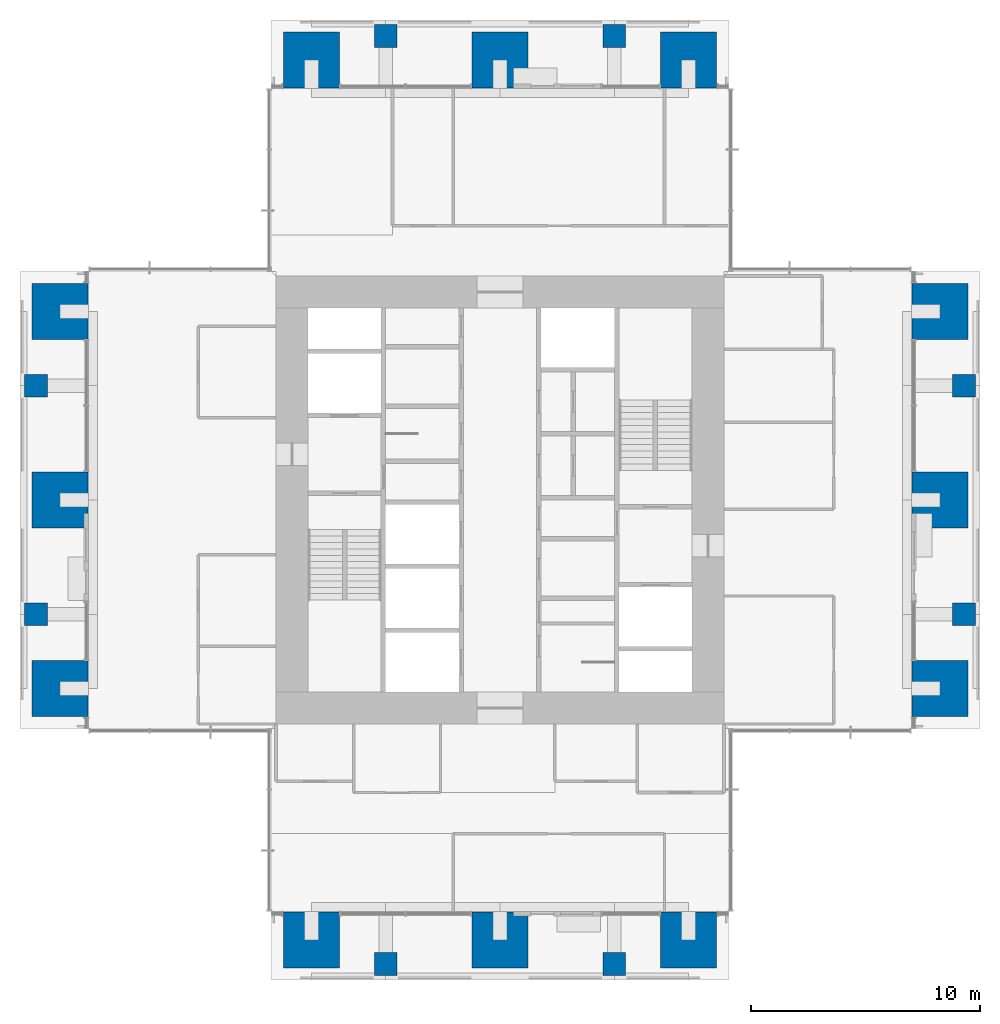
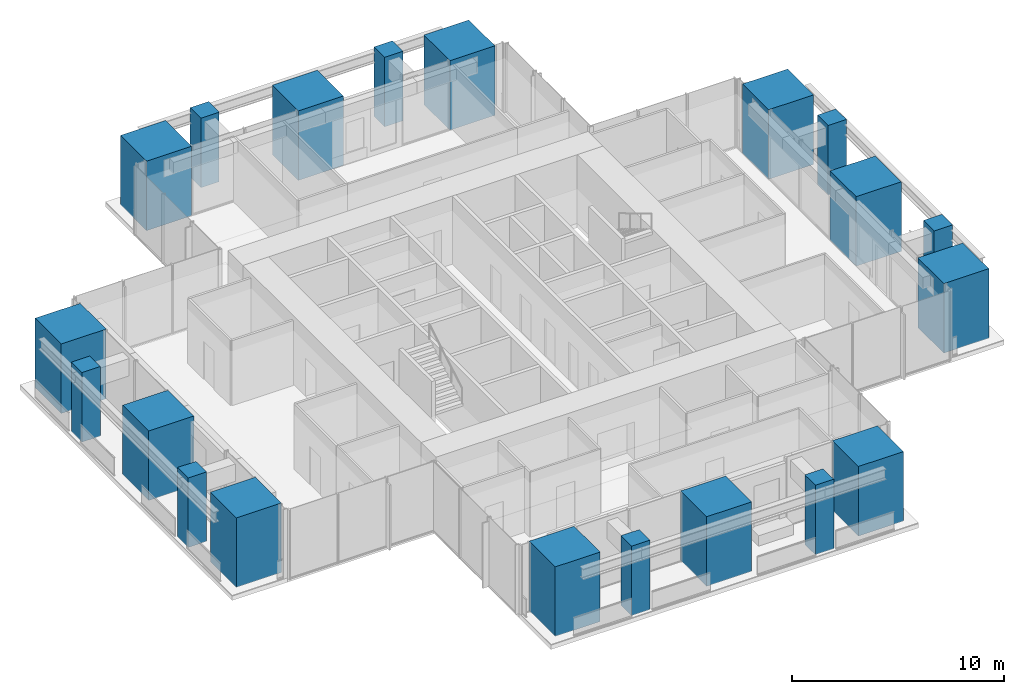
# One storey, part 1 of 17: 20 columns.
"""IFC4 building model written with IfcOpenShell, lengths in metres."""

from ifc_helpers import new_model, si_unit, direction, frame, origin, origin_2d, place, context, subcontext, project, spatial, rectangle, extrude, material, material_profile, profile_set, type_object, element, save


model = new_model("IFC4")

# Units and contexts
model_context = context("Model", 3, precision=1e-05, world=origin(), true_north=direction((0.0, 1.0)))
body_context = subcontext(model_context, "Body", "Model", "MODEL_VIEW")
ifc_project = project(units=[si_unit("LENGTHUNIT", "METRE"), si_unit("AREAUNIT", "SQUARE_METRE"), si_unit("VOLUMEUNIT", "CUBIC_METRE"), si_unit("PLANEANGLEUNIT", "RADIAN"), si_unit("MASSUNIT", "GRAM", prefix="KILO")], contexts=[model_context])

# Site, building, storey
site_placement = place(None, origin())
site = spatial("IfcSite", under=ifc_project, at=site_placement, CompositionType="ELEMENT")
building_placement = place(site_placement, origin())
building = spatial("IfcBuilding", under=site, at=building_placement, Name="Svetlomir Tower", CompositionType="ELEMENT")
storey_placement = place(building_placement, frame((0.0, 0.0, 194.5)))
storey = spatial("IfcBuildingStorey", under=building, at=storey_placement, Name="L46", CompositionType="ELEMENT", Elevation=194.5)

# Columns
ifc_material_1 = material(Name="Concrete C60/75", Category="concrete")
ifc_material_profile_1 = material_profile(ifc_material_1, rectangle(XDim=1.0, YDim=1.0, at=origin_2d()), Name="RC 1000x1000")
ifc_profile_set_1 = profile_set([ifc_material_profile_1], Name="Concrete C60/75")
column_type_1 = type_object("IfcColumnType", Name="COLUMN RC 1000x1000", PredefinedType="COLUMN", material=ifc_profile_set_1)
for number, where, z_axis, x_axis, name in (
    (1, (16.0, 0.699951171875, 0.0), (0.0, 0.0, 1.0), (1.0, 0.0, 0.0), "Column 16/0 L46"),
    (2, (26.0, 0.699951171875, 0.0), (0.0, 0.0, 1.0), (1.0, 0.0, 0.0), "Column 26/0 L46"),
    (3, (0.699951171875, 16.0, 0.0), (0.0, 0.0, 1.0), (1.0, 0.0, 0.0), "Column 0/16 L46"),
    (4, (41.300048828125, 16.0, 0.0), (0.0, 0.0, 1.0), (1.0, 0.0, 0.0), "Column 42/16 L46"),
    (5, (0.699951171875, 26.0, 0.0), (0.0, 0.0, 1.0), (1.0, 0.0, 0.0), "Column 0/26 L46"),
    (6, (41.300048828125, 26.0, 0.0), (0.0, 0.0, 1.0), (1.0, 0.0, 0.0), "Column 42/26 L46"),
    (7, (16.0, 41.300048828125, 0.0), (0.0, 0.0, 1.0), (1.0, 0.0, 0.0), "Column 16/42 L46"),
    (8, (26.0, 41.300048828125, 0.0), (0.0, 0.0, 1.0), (1.0, 0.0, 0.0), "Column 26/42 L46"),
):
    element("IfcColumn", number, at=place(storey_placement, frame(where, z_axis=z_axis, x_axis=x_axis)), inside=storey, type_object=column_type_1, Name=name, PredefinedType="COLUMN", context=body_context, shape_type="SweptSolid", body=[
        extrude(rectangle(XDim=1.0, YDim=1.0, at=origin_2d()), origin(), (0.0, 0.0, 1.0), 4.0),
    ])
ifc_material_2 = material(Name="Concrete C60/75", Category="concrete")
ifc_material_profile_2 = material_profile(ifc_material_2, rectangle(XDim=2.449951171875, YDim=2.449951171875, at=origin_2d()), Name="RC 2450x2450")
ifc_profile_set_2 = profile_set([ifc_material_profile_2], Name="Concrete C60/75")
column_type_2 = type_object("IfcColumnType", Name="COLUMN RC 2450x2450", PredefinedType="COLUMN", material=ifc_profile_set_2)
for number, where, z_axis, x_axis, name in (
    (9, (12.75, 1.75, 0.0), (0.0, 0.0, 1.0), (1.0, 0.0, 0.0), "Column 11/0 L46"),
    (10, (21.0, 1.75, 0.0), (0.0, 0.0, 1.0), (1.0, 0.0, 0.0), "Column 21/0 L46"),
    (11, (29.25, 1.75, 0.0), (0.0, 0.0, 1.0), (1.0, 0.0, 0.0), "Column 31/0 L46"),
    (12, (1.75, 12.75, 0.0), (0.0, 0.0, 1.0), (1.0, 0.0, 0.0), "Column 0/11 L46"),
    (13, (40.25, 12.75, 0.0), (0.0, 0.0, 1.0), (1.0, 0.0, 0.0), "Column 42/11 L46"),
    (14, (1.75, 21.0, 0.0), (0.0, 0.0, 1.0), (1.0, 0.0, 0.0), "Column 0/21 L46"),
    (15, (40.25, 21.0, 0.0), (0.0, 0.0, 1.0), (1.0, 0.0, 0.0), "Column 42/21 L46"),
    (16, (1.75, 29.25, 0.0), (0.0, 0.0, 1.0), (1.0, 0.0, 0.0), "Column 0/31 L46"),
    (17, (40.25, 29.25, 0.0), (0.0, 0.0, 1.0), (1.0, 0.0, 0.0), "Column 42/31 L46"),
    (18, (12.75, 40.25, 0.0), (0.0, 0.0, 1.0), (1.0, 0.0, 0.0), "Column 11/42 L46"),
    (19, (21.0, 40.25, 0.0), (0.0, 0.0, 1.0), (1.0, 0.0, 0.0), "Column 21/42 L46"),
    (20, (29.25, 40.25, 0.0), (0.0, 0.0, 1.0), (1.0, 0.0, 0.0), "Column 31/42 L46"),
):
    element("IfcColumn", number, at=place(storey_placement, frame(where, z_axis=z_axis, x_axis=x_axis)), inside=storey, type_object=column_type_2, Name=name, PredefinedType="COLUMN", context=body_context, shape_type="SweptSolid", body=[
        extrude(rectangle(XDim=2.449951171875, YDim=2.449951171875, at=origin_2d()), origin(), (0.0, 0.0, 1.0), 4.0),
    ])

save(model, "model.ifc")
